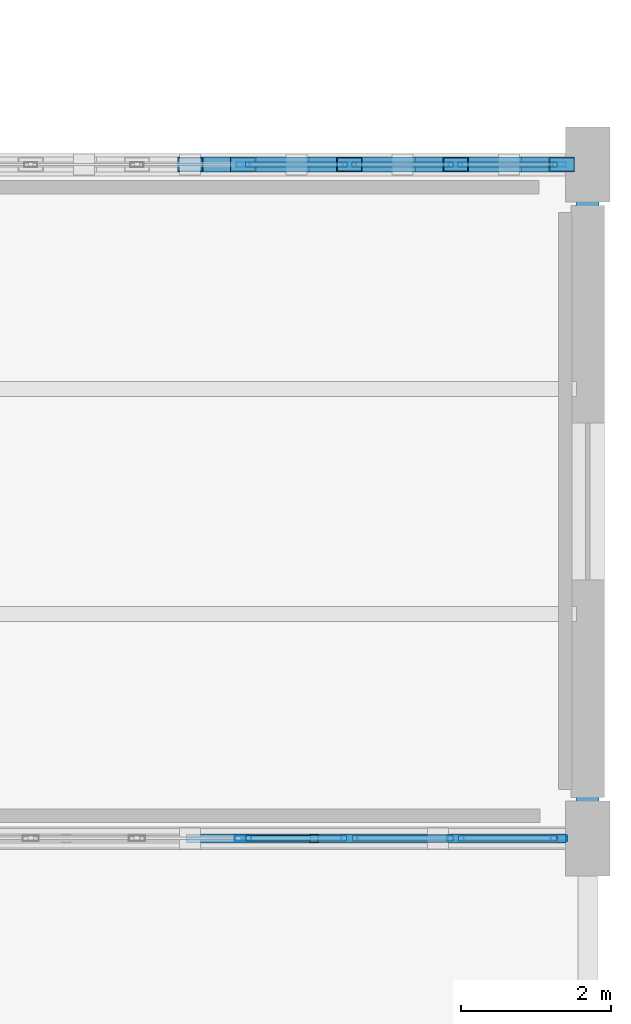
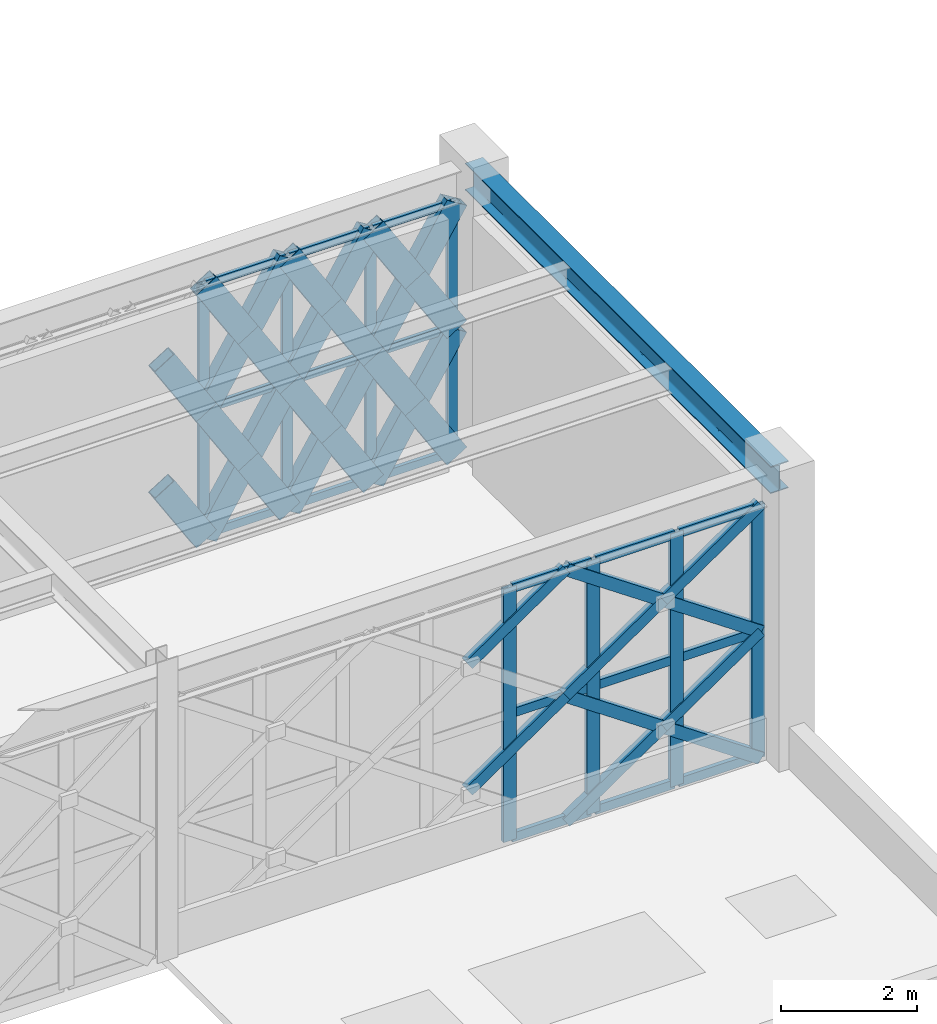
# One storey, part 123 of 166: 54 members, 1 beam, 2 elements without a shape of their own.
"""IFC4 building model written with IfcOpenShell, lengths in metres."""

from ifc_helpers import new_model, si_unit, direction, frame, origin, origin_2d, place, context, subcontext, project, spatial, hollow_rectangle, i_section, extrude, material, material_profile, profile_set, type_object, element, aggregate, save


model = new_model("IFC4")

# Units and contexts
model_context = context("Model", 3, precision=1e-05, world=origin(), true_north=direction((0.0, 1.0)))
body_context = subcontext(model_context, "Body", "Model", "MODEL_VIEW")
ifc_project = project(units=[si_unit("LENGTHUNIT", "METRE"), si_unit("AREAUNIT", "SQUARE_METRE"), si_unit("VOLUMEUNIT", "CUBIC_METRE"), si_unit("PLANEANGLEUNIT", "RADIAN"), si_unit("MASSUNIT", "GRAM", prefix="KILO")], contexts=[model_context])

# Site, building, storey
site_placement = place(None, origin())
site = spatial("IfcSite", under=ifc_project, at=site_placement, CompositionType="ELEMENT")
building_placement = place(site_placement, origin())
building = spatial("IfcBuilding", under=site, at=building_placement, Name="Haizhuo Lancet Aquarium", CompositionType="ELEMENT")
storey_placement = place(building_placement, frame((0.0, 0.0, 5.39990234375)))
storey = spatial("IfcBuildingStorey", under=building, at=storey_placement, Name="L01", CompositionType="ELEMENT", Elevation=5.39990234375)

# Beam
ifc_material_1 = material(Name="Steel S355", Category="steel")
ifc_material_profile_1 = material_profile(ifc_material_1, i_section(OverallWidth=0.300048828125, OverallDepth=0.488037109375, WebThickness=0.010986328125, FlangeThickness=0.01806640625, FilletRadius=0.02392578125, at=origin_2d()), Name="HM 488x300x11x18")
ifc_profile_set_1 = profile_set([ifc_material_profile_1], Name="Steel S355")
beam_type = type_object("IfcBeamType", Name="BM-ST-HM488", PredefinedType="BEAM", material=ifc_profile_set_1)
beam_placement = place(storey_placement, frame((82.5, 9.0, 4.89599609375), z_axis=(0.0, 1.0, 0.0), x_axis=(-1.0, 0.0, 0.0)))
element("IfcBeam", 1, at=beam_placement, inside=storey, type_object=beam_type, Name="L01 V7 primary girder BM-L01-V7-031", PredefinedType="BEAM", context=body_context, shape_type="SweptSolid", body=[
    extrude(i_section(OverallWidth=0.300048828125, OverallDepth=0.488037109375, WebThickness=0.010986328125, FlangeThickness=0.01806640625, FilletRadius=0.02392578125, at=origin_2d()), origin(), (0.0, 0.0, 1.0), 9.0),
])

# Curtain wall, members
ifc_material_2 = material(Name="Aluminium 6063-T6", Category="aluminium")
curtain_wall_type_1 = type_object("IfcCurtainWallType", Name="CWD-9940x4550", PredefinedType="NOTDEFINED", material=ifc_material_2)
curtain_wall_1_placement = place(storey_placement, origin())
curtain_wall_1 = element("IfcCurtainWall", 2, at=curtain_wall_1_placement, inside=storey, type_object=curtain_wall_type_1, Name="L01 curtain wall CW-V7-L01-289", PredefinedType="NOTDEFINED")
ifc_material_profile_2 = material_profile(ifc_material_2, hollow_rectangle(XDim=0.06494140625, YDim=0.179931640625, WallThickness=0.00390625, at=origin_2d()), Name="ALU-M 65x180x4")
ifc_profile_set_2 = profile_set([ifc_material_profile_2], Name="Aluminium 6063-T6")
member_type_1 = type_object("IfcMemberType", Name="CW-MUL-1", PredefinedType="MULLION", material=ifc_profile_set_2)
member_1_placement = place(storey_placement, frame((77.89697265625, 18.0, 0.0), z_axis=(0.0, 0.0, 1.0), x_axis=(0.0, 1.0, 0.0)))
member_1 = element("IfcMember", 3, at=member_1_placement, type_object=member_type_1, Name="CWD-99x45 mullion 5", PredefinedType="MULLION", context=body_context, shape_type="SweptSolid", body=[
    extrude(hollow_rectangle(XDim=0.06494140625, YDim=0.179931640625, WallThickness=0.00390625, at=origin_2d()), origin(), (0.0, 0.0, 1.0), 4.552001953125),
])
member_2_placement = place(storey_placement, frame((79.31591796875, 18.0, 0.0), z_axis=(0.0, 0.0, 1.0), x_axis=(0.0, 1.0, 0.0)))
member_2 = element("IfcMember", 4, at=member_2_placement, type_object=member_type_1, Name="CWD-99x45 mullion 6", PredefinedType="MULLION", context=body_context, shape_type="SweptSolid", body=[
    extrude(hollow_rectangle(XDim=0.06494140625, YDim=0.179931640625, WallThickness=0.00390625, at=origin_2d()), origin(), (0.0, 0.0, 1.0), 4.552001953125),
])
member_3_placement = place(storey_placement, frame((80.736083984375, 18.0, 0.0), z_axis=(0.0, 0.0, 1.0), x_axis=(0.0, 1.0, 0.0)))
member_3 = element("IfcMember", 5, at=member_3_placement, type_object=member_type_1, Name="CWD-99x45 mullion 7", PredefinedType="MULLION", context=body_context, shape_type="SweptSolid", body=[
    extrude(hollow_rectangle(XDim=0.06494140625, YDim=0.179931640625, WallThickness=0.00390625, at=origin_2d()), origin(), (0.0, 0.0, 1.0), 4.552001953125),
])
member_4_placement = place(storey_placement, frame((82.123046875, 18.0, 0.0), z_axis=(0.0, 0.0, 1.0), x_axis=(0.0, 1.0, 0.0)))
member_4 = element("IfcMember", 6, at=member_4_placement, type_object=member_type_1, Name="CWD-99x45 mullion 8", PredefinedType="MULLION", context=body_context, shape_type="SweptSolid", body=[
    extrude(hollow_rectangle(XDim=0.06494140625, YDim=0.179931640625, WallThickness=0.00390625, at=origin_2d()), origin(), (0.0, 0.0, 1.0), 4.552001953125),
])

curtain_wall_type_2 = type_object("IfcCurtainWallType", Name="CWO-9940x4550", PredefinedType="NOTDEFINED", material=ifc_material_2)
curtain_wall_2_placement = place(storey_placement, origin())
curtain_wall_2 = element("IfcCurtainWall", 7, at=curtain_wall_2_placement, inside=storey, type_object=curtain_wall_type_2, Name="L01 curtain wall CW-V7-L01-290", PredefinedType="NOTDEFINED")
ifc_material_profile_3 = material_profile(ifc_material_2, hollow_rectangle(XDim=0.074951171875, YDim=0.219970703125, WallThickness=0.0048828125, at=origin_2d()), Name="ALU-M 75x220x5")
ifc_profile_set_3 = profile_set([ifc_material_profile_3], Name="Aluminium 6063-T6")
member_type_2 = type_object("IfcMemberType", Name="CW-MUL-2", PredefinedType="MULLION", material=ifc_profile_set_3)
member_5_placement = place(storey_placement, frame((82.117919921875, 9.0, 0.0), z_axis=(0.0, 0.0, 1.0), x_axis=(0.0, -1.0, 0.0)))
member_5 = element("IfcMember", 8, at=member_5_placement, type_object=member_type_2, Name="CWO-99x45 mullion 1", PredefinedType="MULLION", context=body_context, shape_type="SweptSolid", body=[
    extrude(hollow_rectangle(XDim=0.074951171875, YDim=0.219970703125, WallThickness=0.0048828125, at=origin_2d()), origin(), (0.0, 0.0, 1.0), 4.552001953125),
])
member_6_placement = place(storey_placement, frame((80.736083984375, 9.0, 0.0), z_axis=(0.0, 0.0, 1.0), x_axis=(0.0, -1.0, 0.0)))
member_6 = element("IfcMember", 9, at=member_6_placement, type_object=member_type_2, Name="CWO-99x45 mullion 2", PredefinedType="MULLION", context=body_context, shape_type="SweptSolid", body=[
    extrude(hollow_rectangle(XDim=0.074951171875, YDim=0.219970703125, WallThickness=0.0048828125, at=origin_2d()), origin(), (0.0, 0.0, 1.0), 4.552001953125),
])
member_7_placement = place(storey_placement, frame((79.31591796875, 9.0, 0.0), z_axis=(0.0, 0.0, 1.0), x_axis=(0.0, -1.0, 0.0)))
member_7 = element("IfcMember", 10, at=member_7_placement, type_object=member_type_2, Name="CWO-99x45 mullion 3", PredefinedType="MULLION", context=body_context, shape_type="SweptSolid", body=[
    extrude(hollow_rectangle(XDim=0.074951171875, YDim=0.219970703125, WallThickness=0.0048828125, at=origin_2d()), origin(), (0.0, 0.0, 1.0), 4.552001953125),
])
member_8_placement = place(storey_placement, frame((77.89697265625, 9.0, 0.0), z_axis=(0.0, 0.0, 1.0), x_axis=(0.0, -1.0, 0.0)))
member_8 = element("IfcMember", 11, at=member_8_placement, type_object=member_type_2, Name="CWO-99x45 mullion 4", PredefinedType="MULLION", context=body_context, shape_type="SweptSolid", body=[
    extrude(hollow_rectangle(XDim=0.074951171875, YDim=0.219970703125, WallThickness=0.0048828125, at=origin_2d()), origin(), (0.0, 0.0, 1.0), 4.552001953125),
])

# Member
ifc_material_profile_4 = material_profile(ifc_material_2, hollow_rectangle(XDim=0.06494140625, YDim=0.139892578125, WallThickness=0.00390625, at=origin_2d()), Name="ALU-T 65x140x4")
ifc_profile_set_4 = profile_set([ifc_material_profile_4], Name="Aluminium 6063-T6")
member_type_3 = type_object("IfcMemberType", Name="CW-TRN-1", PredefinedType="NOTDEFINED", material=ifc_profile_set_4)
member_9_placement = place(storey_placement, frame((77.929931640625, 18.0, 0.033203125), z_axis=(1.0, 0.0, 0.0), x_axis=(0.0, 1.0, 0.0)))
member_9 = element("IfcMember", 12, at=member_9_placement, type_object=member_type_3, Name="CWD-99x45 transom 5.1", ObjectType="TRANSOM", PredefinedType="USERDEFINED", context=body_context, shape_type="SweptSolid", body=[
    extrude(hollow_rectangle(XDim=0.06494140625, YDim=0.139892578125, WallThickness=0.00390625, at=origin_2d()), origin(), (0.0, 0.0, 1.0), 1.35400390625),
])

member_10_placement = place(storey_placement, frame((77.929931640625, 18.0, 2.276123046875), z_axis=(1.0, 0.0, 0.0), x_axis=(0.0, 1.0, 0.0)))
member_10 = element("IfcMember", 13, at=member_10_placement, type_object=member_type_3, Name="CWD-99x45 transom 5.2", ObjectType="TRANSOM", PredefinedType="USERDEFINED", context=body_context, shape_type="SweptSolid", body=[
    extrude(hollow_rectangle(XDim=0.06494140625, YDim=0.139892578125, WallThickness=0.00390625, at=origin_2d()), origin(), (0.0, 0.0, 1.0), 1.35400390625),
])

member_11_placement = place(storey_placement, frame((77.929931640625, 18.0, 4.51904296875), z_axis=(1.0, 0.0, 0.0), x_axis=(0.0, 1.0, 0.0)))
member_11 = element("IfcMember", 14, at=member_11_placement, type_object=member_type_3, Name="CWD-99x45 transom 5.3", ObjectType="TRANSOM", PredefinedType="USERDEFINED", context=body_context, shape_type="SweptSolid", body=[
    extrude(hollow_rectangle(XDim=0.06494140625, YDim=0.139892578125, WallThickness=0.00390625, at=origin_2d()), origin(), (0.0, 0.0, 1.0), 1.35400390625),
])

member_12_placement = place(storey_placement, frame((79.34912109375, 18.0, 0.033203125), z_axis=(1.0, 0.0, 0.0), x_axis=(0.0, 1.0, 0.0)))
member_12 = element("IfcMember", 15, at=member_12_placement, type_object=member_type_3, Name="CWD-99x45 transom 6.1", ObjectType="TRANSOM", PredefinedType="USERDEFINED", context=body_context, shape_type="SweptSolid", body=[
    extrude(hollow_rectangle(XDim=0.06494140625, YDim=0.139892578125, WallThickness=0.00390625, at=origin_2d()), origin(), (0.0, 0.0, 1.0), 1.353759765625),
])

member_13_placement = place(storey_placement, frame((79.34912109375, 18.0, 2.276123046875), z_axis=(1.0, 0.0, 0.0), x_axis=(0.0, 1.0, 0.0)))
member_13 = element("IfcMember", 16, at=member_13_placement, type_object=member_type_3, Name="CWD-99x45 transom 6.2", ObjectType="TRANSOM", PredefinedType="USERDEFINED", context=body_context, shape_type="SweptSolid", body=[
    extrude(hollow_rectangle(XDim=0.06494140625, YDim=0.139892578125, WallThickness=0.00390625, at=origin_2d()), origin(), (0.0, 0.0, 1.0), 1.353759765625),
])

member_14_placement = place(storey_placement, frame((79.34912109375, 18.0, 4.51904296875), z_axis=(1.0, 0.0, 0.0), x_axis=(0.0, 1.0, 0.0)))
member_14 = element("IfcMember", 17, at=member_14_placement, type_object=member_type_3, Name="CWD-99x45 transom 6.3", ObjectType="TRANSOM", PredefinedType="USERDEFINED", context=body_context, shape_type="SweptSolid", body=[
    extrude(hollow_rectangle(XDim=0.06494140625, YDim=0.139892578125, WallThickness=0.00390625, at=origin_2d()), origin(), (0.0, 0.0, 1.0), 1.353759765625),
])

member_15_placement = place(storey_placement, frame((80.76806640625, 18.0, 0.033203125), z_axis=(1.0, 0.0, 0.0), x_axis=(0.0, 1.0, 0.0)))
member_15 = element("IfcMember", 18, at=member_15_placement, type_object=member_type_3, Name="CWD-99x45 transom 7.1", ObjectType="TRANSOM", PredefinedType="USERDEFINED", context=body_context, shape_type="SweptSolid", body=[
    extrude(hollow_rectangle(XDim=0.06494140625, YDim=0.139892578125, WallThickness=0.00390625, at=origin_2d()), origin(), (0.0, 0.0, 1.0), 1.322021484375),
])

member_16_placement = place(storey_placement, frame((80.76806640625, 18.0, 2.276123046875), z_axis=(1.0, 0.0, 0.0), x_axis=(0.0, 1.0, 0.0)))
member_16 = element("IfcMember", 19, at=member_16_placement, type_object=member_type_3, Name="CWD-99x45 transom 7.2", ObjectType="TRANSOM", PredefinedType="USERDEFINED", context=body_context, shape_type="SweptSolid", body=[
    extrude(hollow_rectangle(XDim=0.06494140625, YDim=0.139892578125, WallThickness=0.00390625, at=origin_2d()), origin(), (0.0, 0.0, 1.0), 1.322021484375),
])

member_17_placement = place(storey_placement, frame((80.76806640625, 18.0, 4.51904296875), z_axis=(1.0, 0.0, 0.0), x_axis=(0.0, 1.0, 0.0)))
member_17 = element("IfcMember", 20, at=member_17_placement, type_object=member_type_3, Name="CWD-99x45 transom 7.3", ObjectType="TRANSOM", PredefinedType="USERDEFINED", context=body_context, shape_type="SweptSolid", body=[
    extrude(hollow_rectangle(XDim=0.06494140625, YDim=0.139892578125, WallThickness=0.00390625, at=origin_2d()), origin(), (0.0, 0.0, 1.0), 1.322021484375),
])

aggregate(curtain_wall_1, [member_1, member_2, member_3, member_4, member_9, member_10, member_11, member_12, member_13, member_14, member_15, member_16, member_17])

ifc_material_profile_5 = material_profile(ifc_material_2, hollow_rectangle(XDim=0.074951171875, YDim=0.159912109375, WallThickness=0.00390625, at=origin_2d()), Name="ALU-T 75x160x4")
ifc_profile_set_5 = profile_set([ifc_material_profile_5], Name="Aluminium 6063-T6")
member_type_4 = type_object("IfcMemberType", Name="CW-TRN-2", PredefinedType="NOTDEFINED", material=ifc_profile_set_5)
member_18_placement = place(storey_placement, frame((82.080078125, 9.0, 0.0380859375), z_axis=(-1.0, 0.0, 0.0), x_axis=(0.0, -1.0, 0.0)))
member_18 = element("IfcMember", 21, at=member_18_placement, type_object=member_type_4, Name="CWO-99x45 transom 1.1", ObjectType="TRANSOM", PredefinedType="USERDEFINED", context=body_context, shape_type="SweptSolid", body=[
    extrude(hollow_rectangle(XDim=0.074951171875, YDim=0.159912109375, WallThickness=0.00390625, at=origin_2d()), origin(), (0.0, 0.0, 1.0), 1.30712890625),
])

member_19_placement = place(storey_placement, frame((82.080078125, 9.0, 2.276123046875), z_axis=(-1.0, 0.0, 0.0), x_axis=(0.0, -1.0, 0.0)))
member_19 = element("IfcMember", 22, at=member_19_placement, type_object=member_type_4, Name="CWO-99x45 transom 1.2", ObjectType="TRANSOM", PredefinedType="USERDEFINED", context=body_context, shape_type="SweptSolid", body=[
    extrude(hollow_rectangle(XDim=0.074951171875, YDim=0.159912109375, WallThickness=0.00390625, at=origin_2d()), origin(), (0.0, 0.0, 1.0), 1.30712890625),
])

member_20_placement = place(storey_placement, frame((82.080078125, 9.0, 4.51513671875), z_axis=(-1.0, 0.0, 0.0), x_axis=(0.0, -1.0, 0.0)))
member_20 = element("IfcMember", 23, at=member_20_placement, type_object=member_type_4, Name="CWO-99x45 transom 1.3", ObjectType="TRANSOM", PredefinedType="USERDEFINED", context=body_context, shape_type="SweptSolid", body=[
    extrude(hollow_rectangle(XDim=0.074951171875, YDim=0.159912109375, WallThickness=0.00390625, at=origin_2d()), origin(), (0.0, 0.0, 1.0), 1.30712890625),
])

member_21_placement = place(storey_placement, frame((80.697998046875, 9.0, 0.0380859375), z_axis=(-1.0, 0.0, 0.0), x_axis=(0.0, -1.0, 0.0)))
member_21 = element("IfcMember", 24, at=member_21_placement, type_object=member_type_4, Name="CWO-99x45 transom 2.1", ObjectType="TRANSOM", PredefinedType="USERDEFINED", context=body_context, shape_type="SweptSolid", body=[
    extrude(hollow_rectangle(XDim=0.074951171875, YDim=0.159912109375, WallThickness=0.00390625, at=origin_2d()), origin(), (0.0, 0.0, 1.0), 1.343994140625),
])

member_22_placement = place(storey_placement, frame((80.697998046875, 9.0, 2.276123046875), z_axis=(-1.0, 0.0, 0.0), x_axis=(0.0, -1.0, 0.0)))
member_22 = element("IfcMember", 25, at=member_22_placement, type_object=member_type_4, Name="CWO-99x45 transom 2.2", ObjectType="TRANSOM", PredefinedType="USERDEFINED", context=body_context, shape_type="SweptSolid", body=[
    extrude(hollow_rectangle(XDim=0.074951171875, YDim=0.159912109375, WallThickness=0.00390625, at=origin_2d()), origin(), (0.0, 0.0, 1.0), 1.343994140625),
])

member_23_placement = place(storey_placement, frame((80.697998046875, 9.0, 4.51513671875), z_axis=(-1.0, 0.0, 0.0), x_axis=(0.0, -1.0, 0.0)))
member_23 = element("IfcMember", 26, at=member_23_placement, type_object=member_type_4, Name="CWO-99x45 transom 2.3", ObjectType="TRANSOM", PredefinedType="USERDEFINED", context=body_context, shape_type="SweptSolid", body=[
    extrude(hollow_rectangle(XDim=0.074951171875, YDim=0.159912109375, WallThickness=0.00390625, at=origin_2d()), origin(), (0.0, 0.0, 1.0), 1.343994140625),
])

member_24_placement = place(storey_placement, frame((79.279052734375, 9.0, 0.0380859375), z_axis=(-1.0, 0.0, 0.0), x_axis=(0.0, -1.0, 0.0)))
member_24 = element("IfcMember", 27, at=member_24_placement, type_object=member_type_4, Name="CWO-99x45 transom 3.1", ObjectType="TRANSOM", PredefinedType="USERDEFINED", context=body_context, shape_type="SweptSolid", body=[
    extrude(hollow_rectangle(XDim=0.074951171875, YDim=0.159912109375, WallThickness=0.00390625, at=origin_2d()), origin(), (0.0, 0.0, 1.0), 1.343994140625),
])

member_25_placement = place(storey_placement, frame((79.279052734375, 9.0, 2.276123046875), z_axis=(-1.0, 0.0, 0.0), x_axis=(0.0, -1.0, 0.0)))
member_25 = element("IfcMember", 28, at=member_25_placement, type_object=member_type_4, Name="CWO-99x45 transom 3.2", ObjectType="TRANSOM", PredefinedType="USERDEFINED", context=body_context, shape_type="SweptSolid", body=[
    extrude(hollow_rectangle(XDim=0.074951171875, YDim=0.159912109375, WallThickness=0.00390625, at=origin_2d()), origin(), (0.0, 0.0, 1.0), 1.343994140625),
])

member_26_placement = place(storey_placement, frame((79.279052734375, 9.0, 4.51513671875), z_axis=(-1.0, 0.0, 0.0), x_axis=(0.0, -1.0, 0.0)))
member_26 = element("IfcMember", 29, at=member_26_placement, type_object=member_type_4, Name="CWO-99x45 transom 3.3", ObjectType="TRANSOM", PredefinedType="USERDEFINED", context=body_context, shape_type="SweptSolid", body=[
    extrude(hollow_rectangle(XDim=0.074951171875, YDim=0.159912109375, WallThickness=0.00390625, at=origin_2d()), origin(), (0.0, 0.0, 1.0), 1.343994140625),
])

aggregate(curtain_wall_2, [member_5, member_6, member_7, member_8, member_18, member_19, member_20, member_21, member_22, member_23, member_24, member_25, member_26])

# Members
ifc_material_profile_6 = material_profile(ifc_material_1, hollow_rectangle(XDim=0.1201171875, YDim=0.199951171875, WallThickness=0.008056640625, at=origin_2d()), Name="RHS 120x200x8")
ifc_profile_set_6 = profile_set([ifc_material_profile_6], Name="Steel S355")
member_type_5 = type_object("IfcMemberType", Name="MEM-LB-RHS120x200", PredefinedType="BRACE", material=ifc_profile_set_6)
member_27_placement = place(storey_placement, frame((82.155029296875, 9.0, 0.0), z_axis=(-0.824144719598, 0.0, 0.566379273243), x_axis=(0.0, -1.0, 0.0)))
element("IfcMember", 30, at=member_27_placement, inside=storey, type_object=member_type_5, Name="Gothic lancet continuous diagonal brace CW-V7-L01-290 1A", PredefinedType="BRACE", context=body_context, shape_type="SweptSolid", body=[
    extrude(hollow_rectangle(XDim=0.1201171875, YDim=0.199951171875, WallThickness=0.008056640625, at=origin_2d()), origin(), (0.0, 0.0, 1.0), 4.018798828125),
])
member_28_placement = place(storey_placement, frame((78.843017578125, 9.0, 0.0), z_axis=(0.824116362396, 0.0, 0.566420533907), x_axis=(0.0, 1.0, 0.0)))
element("IfcMember", 31, at=member_28_placement, inside=storey, type_object=member_type_5, Name="Gothic lancet split diagonal brace CW-V7-L01-290 1B1", PredefinedType="BRACE", context=body_context, shape_type="SweptSolid", body=[
    extrude(hollow_rectangle(XDim=0.1201171875, YDim=0.199951171875, WallThickness=0.008056640625, at=origin_2d()), origin(), (0.0, 0.0, 1.0), 2.009521484375),
])
member_29_placement = place(storey_placement, frame((80.4990234375, 9.0, 1.13818359375), z_axis=(0.824173076685, 0.0, 0.566338008319), x_axis=(0.0, 1.0, 0.0)))
element("IfcMember", 32, at=member_29_placement, inside=storey, type_object=member_type_5, Name="Gothic lancet split diagonal brace CW-V7-L01-290 1B2", PredefinedType="BRACE", context=body_context, shape_type="SweptSolid", body=[
    extrude(hollow_rectangle(XDim=0.1201171875, YDim=0.199951171875, WallThickness=0.008056640625, at=origin_2d()), origin(), (0.0, 0.0, 1.0), 2.00927734375),
])
member_30_placement = place(storey_placement, frame((82.155029296875, 9.0, 2.276123046875), z_axis=(-0.824173076685, 0.0, 0.566338008319), x_axis=(0.0, -1.0, 0.0)))
element("IfcMember", 33, at=member_30_placement, inside=storey, type_object=member_type_5, Name="Gothic lancet continuous diagonal brace CW-V7-L01-290 2A", PredefinedType="BRACE", context=body_context, shape_type="SweptSolid", body=[
    extrude(hollow_rectangle(XDim=0.1201171875, YDim=0.199951171875, WallThickness=0.008056640625, at=origin_2d()), origin(), (0.0, 0.0, 1.0), 4.0185546875),
])
for number, where, z_axis, x_axis, name in (
    (34, (78.843017578125, 9.0, 2.276123046875), (0.824173076685, 0.0, 0.566338008319), (0.0, 1.0, 0.0), "Gothic lancet split diagonal brace CW-V7-L01-290 2B1"),
    (35, (80.4990234375, 9.0, 3.4140625), (0.824173076685, 0.0, 0.566338008319), (0.0, 1.0, 0.0), "Gothic lancet split diagonal brace CW-V7-L01-290 2B2"),
):
    element("IfcMember", number, at=place(storey_placement, frame(where, z_axis=z_axis, x_axis=x_axis)), inside=storey, type_object=member_type_5, Name=name, PredefinedType="BRACE", context=body_context, shape_type="SweptSolid", body=[
        extrude(hollow_rectangle(XDim=0.1201171875, YDim=0.199951171875, WallThickness=0.008056640625, at=origin_2d()), origin(), (0.0, 0.0, 1.0), 2.00927734375),
    ])
for number, where, z_axis, x_axis, name in (
    (36, (77.18798828125, 9.0, 1.13818359375), (0.824017096653, 0.0, 0.566564933987), (0.0, 1.0, 0.0), "Gothic lancet split diagonal brace CW-V7-L01-290 3B2"),
    (37, (77.18798828125, 9.0, 3.4140625), (0.824017096653, 0.0, 0.566564933987), (0.0, 1.0, 0.0), "Gothic lancet split diagonal brace CW-V7-L01-290 4B2"),
):
    element("IfcMember", number, at=place(storey_placement, frame(where, z_axis=z_axis, x_axis=x_axis)), inside=storey, type_object=member_type_5, Name=name, PredefinedType="BRACE", context=body_context, shape_type="SweptSolid", body=[
        extrude(hollow_rectangle(XDim=0.1201171875, YDim=0.199951171875, WallThickness=0.008056640625, at=origin_2d()), origin(), (0.0, 0.0, 1.0), 2.008544921875),
    ])
ifc_material_profile_7 = material_profile(ifc_material_1, hollow_rectangle(XDim=0.199951171875, YDim=0.39990234375, WallThickness=0.011962890625, at=origin_2d()), Name="RHS 200x400x12")
ifc_profile_set_7 = profile_set([ifc_material_profile_7], Name="Steel S355")
member_type_6 = type_object("IfcMemberType", Name="MEM-LB-RHS200x400", PredefinedType="BRACE", material=ifc_profile_set_7)
for number, where, z_axis, x_axis, name in (
    (38, (77.89697265625, 18.0, 0.0), (-0.528721826607, 0.0, 0.848795163788), (0.0, -1.0, 0.0), "Gothic lancet split diagonal brace CW-V7-L01-289 7B1"),
    (39, (77.89697265625, 18.0, 2.276123046875), (-0.528803544066, 0.0, 0.848744255817), (0.0, -1.0, 0.0), "Gothic lancet split diagonal brace CW-V7-L01-289 8B1"),
):
    element("IfcMember", number, at=place(storey_placement, frame(where, z_axis=z_axis, x_axis=x_axis)), inside=storey, type_object=member_type_6, Name=name, PredefinedType="BRACE", context=body_context, shape_type="SweptSolid", body=[
        extrude(hollow_rectangle(XDim=0.199951171875, YDim=0.39990234375, WallThickness=0.011962890625, at=origin_2d()), origin(), (0.0, 0.0, 1.0), 1.3408203125),
    ])
member_31_placement = place(storey_placement, frame((77.89697265625, 18.0, 0.0), z_axis=(0.529024952712, 0.0, 0.848606268777), x_axis=(0.0, 1.0, 0.0)))
element("IfcMember", 40, at=member_31_placement, inside=storey, type_object=member_type_6, Name="Gothic lancet continuous diagonal brace CW-V7-L01-289 9A", PredefinedType="BRACE", context=body_context, shape_type="SweptSolid", body=[
    extrude(hollow_rectangle(XDim=0.199951171875, YDim=0.39990234375, WallThickness=0.011962890625, at=origin_2d()), origin(), (0.0, 0.0, 1.0), 2.68212890625),
])
member_32_placement = place(storey_placement, frame((79.31591796875, 18.0, 0.0), z_axis=(-0.528721826607, 0.0, 0.848795163788), x_axis=(0.0, -1.0, 0.0)))
element("IfcMember", 41, at=member_32_placement, inside=storey, type_object=member_type_6, Name="Gothic lancet split diagonal brace CW-V7-L01-289 9B1", PredefinedType="BRACE", context=body_context, shape_type="SweptSolid", body=[
    extrude(hollow_rectangle(XDim=0.199951171875, YDim=0.39990234375, WallThickness=0.011962890625, at=origin_2d()), origin(), (0.0, 0.0, 1.0), 1.3408203125),
])
member_33_placement = place(storey_placement, frame((78.60693359375, 18.0, 1.13818359375), z_axis=(-0.529327941419, 0.0, 0.848417309131), x_axis=(0.0, -1.0, 0.0)))
element("IfcMember", 42, at=member_33_placement, inside=storey, type_object=member_type_6, Name="Gothic lancet split diagonal brace CW-V7-L01-289 9B2", PredefinedType="BRACE", context=body_context, shape_type="SweptSolid", body=[
    extrude(hollow_rectangle(XDim=0.199951171875, YDim=0.39990234375, WallThickness=0.011962890625, at=origin_2d()), origin(), (0.0, 0.0, 1.0), 1.34130859375),
])
member_34_placement = place(storey_placement, frame((77.89697265625, 18.0, 2.276123046875), z_axis=(0.529065818509, 0.0, 0.84858079149), x_axis=(0.0, 1.0, 0.0)))
element("IfcMember", 43, at=member_34_placement, inside=storey, type_object=member_type_6, Name="Gothic lancet continuous diagonal brace CW-V7-L01-289 10A", PredefinedType="BRACE", context=body_context, shape_type="SweptSolid", body=[
    extrude(hollow_rectangle(XDim=0.199951171875, YDim=0.39990234375, WallThickness=0.011962890625, at=origin_2d()), origin(), (0.0, 0.0, 1.0), 2.681884765625),
])
member_35_placement = place(storey_placement, frame((79.31591796875, 18.0, 2.276123046875), z_axis=(-0.528803544066, 0.0, 0.848744255817), x_axis=(0.0, -1.0, 0.0)))
element("IfcMember", 44, at=member_35_placement, inside=storey, type_object=member_type_6, Name="Gothic lancet split diagonal brace CW-V7-L01-289 10B1", PredefinedType="BRACE", context=body_context, shape_type="SweptSolid", body=[
    extrude(hollow_rectangle(XDim=0.199951171875, YDim=0.39990234375, WallThickness=0.011962890625, at=origin_2d()), origin(), (0.0, 0.0, 1.0), 1.3408203125),
])
member_36_placement = place(storey_placement, frame((78.60693359375, 18.0, 3.4140625), z_axis=(-0.529327941419, 0.0, 0.848417309131), x_axis=(0.0, -1.0, 0.0)))
element("IfcMember", 45, at=member_36_placement, inside=storey, type_object=member_type_6, Name="Gothic lancet split diagonal brace CW-V7-L01-289 10B2", PredefinedType="BRACE", context=body_context, shape_type="SweptSolid", body=[
    extrude(hollow_rectangle(XDim=0.199951171875, YDim=0.39990234375, WallThickness=0.011962890625, at=origin_2d()), origin(), (0.0, 0.0, 1.0), 1.34130859375),
])
member_37_placement = place(storey_placement, frame((79.31591796875, 18.0, 0.0), z_axis=(0.529352577061, 0.0, 0.848401938446), x_axis=(0.0, 1.0, 0.0)))
element("IfcMember", 46, at=member_37_placement, inside=storey, type_object=member_type_6, Name="Gothic lancet continuous diagonal brace CW-V7-L01-289 11A", PredefinedType="BRACE", context=body_context, shape_type="SweptSolid", body=[
    extrude(hollow_rectangle(XDim=0.199951171875, YDim=0.39990234375, WallThickness=0.011962890625, at=origin_2d()), origin(), (0.0, 0.0, 1.0), 2.682861328125),
])
member_38_placement = place(storey_placement, frame((80.736083984375, 18.0, 0.0), z_axis=(-0.52937720608, 0.0, 0.848386570899), x_axis=(0.0, -1.0, 0.0)))
element("IfcMember", 47, at=member_38_placement, inside=storey, type_object=member_type_6, Name="Gothic lancet split diagonal brace CW-V7-L01-289 11B1", PredefinedType="BRACE", context=body_context, shape_type="SweptSolid", body=[
    extrude(hollow_rectangle(XDim=0.199951171875, YDim=0.39990234375, WallThickness=0.011962890625, at=origin_2d()), origin(), (0.0, 0.0, 1.0), 1.341552734375),
])
member_39_placement = place(storey_placement, frame((80.02587890625, 18.0, 1.13818359375), z_axis=(-0.529327941419, 0.0, 0.848417309131), x_axis=(0.0, -1.0, 0.0)))
element("IfcMember", 48, at=member_39_placement, inside=storey, type_object=member_type_6, Name="Gothic lancet split diagonal brace CW-V7-L01-289 11B2", PredefinedType="BRACE", context=body_context, shape_type="SweptSolid", body=[
    extrude(hollow_rectangle(XDim=0.199951171875, YDim=0.39990234375, WallThickness=0.011962890625, at=origin_2d()), origin(), (0.0, 0.0, 1.0), 1.34130859375),
])
member_40_placement = place(storey_placement, frame((79.31591796875, 18.0, 2.276123046875), z_axis=(0.529393448474, 0.0, 0.848376435736), x_axis=(0.0, 1.0, 0.0)))
element("IfcMember", 49, at=member_40_placement, inside=storey, type_object=member_type_6, Name="Gothic lancet continuous diagonal brace CW-V7-L01-289 12A", PredefinedType="BRACE", context=body_context, shape_type="SweptSolid", body=[
    extrude(hollow_rectangle(XDim=0.199951171875, YDim=0.39990234375, WallThickness=0.011962890625, at=origin_2d()), origin(), (0.0, 0.0, 1.0), 2.6826171875),
])
for number, where, z_axis, x_axis, name in (
    (50, (80.736083984375, 18.0, 2.276123046875), (-0.529458946062, 0.0, 0.848335561222), (0.0, -1.0, 0.0), "Gothic lancet split diagonal brace CW-V7-L01-289 12B1"),
    (51, (80.02587890625, 18.0, 3.4140625), (-0.529327941419, 0.0, 0.848417309131), (0.0, -1.0, 0.0), "Gothic lancet split diagonal brace CW-V7-L01-289 12B2"),
):
    element("IfcMember", number, at=place(storey_placement, frame(where, z_axis=z_axis, x_axis=x_axis)), inside=storey, type_object=member_type_6, Name=name, PredefinedType="BRACE", context=body_context, shape_type="SweptSolid", body=[
        extrude(hollow_rectangle(XDim=0.199951171875, YDim=0.39990234375, WallThickness=0.011962890625, at=origin_2d()), origin(), (0.0, 0.0, 1.0), 1.34130859375),
    ])
member_41_placement = place(storey_placement, frame((80.736083984375, 18.0, 0.0), z_axis=(0.529024952712, 0.0, 0.848606268777), x_axis=(0.0, 1.0, 0.0)))
element("IfcMember", 52, at=member_41_placement, inside=storey, type_object=member_type_6, Name="Gothic lancet continuous diagonal brace CW-V7-L01-289 13A", PredefinedType="BRACE", context=body_context, shape_type="SweptSolid", body=[
    extrude(hollow_rectangle(XDim=0.199951171875, YDim=0.39990234375, WallThickness=0.011962890625, at=origin_2d()), origin(), (0.0, 0.0, 1.0), 2.68212890625),
])
member_42_placement = place(storey_placement, frame((82.155029296875, 18.0, 0.0), z_axis=(-0.528721826607, 0.0, 0.848795163788), x_axis=(0.0, -1.0, 0.0)))
element("IfcMember", 53, at=member_42_placement, inside=storey, type_object=member_type_6, Name="Gothic lancet split diagonal brace CW-V7-L01-289 13B1", PredefinedType="BRACE", context=body_context, shape_type="SweptSolid", body=[
    extrude(hollow_rectangle(XDim=0.199951171875, YDim=0.39990234375, WallThickness=0.011962890625, at=origin_2d()), origin(), (0.0, 0.0, 1.0), 1.3408203125),
])
member_43_placement = place(storey_placement, frame((81.446044921875, 18.0, 1.13818359375), z_axis=(-0.529327941419, 0.0, 0.848417309131), x_axis=(0.0, -1.0, 0.0)))
element("IfcMember", 54, at=member_43_placement, inside=storey, type_object=member_type_6, Name="Gothic lancet split diagonal brace CW-V7-L01-289 13B2", PredefinedType="BRACE", context=body_context, shape_type="SweptSolid", body=[
    extrude(hollow_rectangle(XDim=0.199951171875, YDim=0.39990234375, WallThickness=0.011962890625, at=origin_2d()), origin(), (0.0, 0.0, 1.0), 1.34130859375),
])
member_44_placement = place(storey_placement, frame((80.736083984375, 18.0, 2.276123046875), z_axis=(0.529065818509, 0.0, 0.84858079149), x_axis=(0.0, 1.0, 0.0)))
element("IfcMember", 55, at=member_44_placement, inside=storey, type_object=member_type_6, Name="Gothic lancet continuous diagonal brace CW-V7-L01-289 14A", PredefinedType="BRACE", context=body_context, shape_type="SweptSolid", body=[
    extrude(hollow_rectangle(XDim=0.199951171875, YDim=0.39990234375, WallThickness=0.011962890625, at=origin_2d()), origin(), (0.0, 0.0, 1.0), 2.681884765625),
])
member_45_placement = place(storey_placement, frame((82.155029296875, 18.0, 2.276123046875), z_axis=(-0.528803544066, 0.0, 0.848744255817), x_axis=(0.0, -1.0, 0.0)))
element("IfcMember", 56, at=member_45_placement, inside=storey, type_object=member_type_6, Name="Gothic lancet split diagonal brace CW-V7-L01-289 14B1", PredefinedType="BRACE", context=body_context, shape_type="SweptSolid", body=[
    extrude(hollow_rectangle(XDim=0.199951171875, YDim=0.39990234375, WallThickness=0.011962890625, at=origin_2d()), origin(), (0.0, 0.0, 1.0), 1.3408203125),
])
member_46_placement = place(storey_placement, frame((81.446044921875, 18.0, 3.4140625), z_axis=(-0.529327941419, 0.0, 0.848417309131), x_axis=(0.0, -1.0, 0.0)))
element("IfcMember", 57, at=member_46_placement, inside=storey, type_object=member_type_6, Name="Gothic lancet split diagonal brace CW-V7-L01-289 14B2", PredefinedType="BRACE", context=body_context, shape_type="SweptSolid", body=[
    extrude(hollow_rectangle(XDim=0.199951171875, YDim=0.39990234375, WallThickness=0.011962890625, at=origin_2d()), origin(), (0.0, 0.0, 1.0), 1.34130859375),
])

save(model, "model.ifc")
